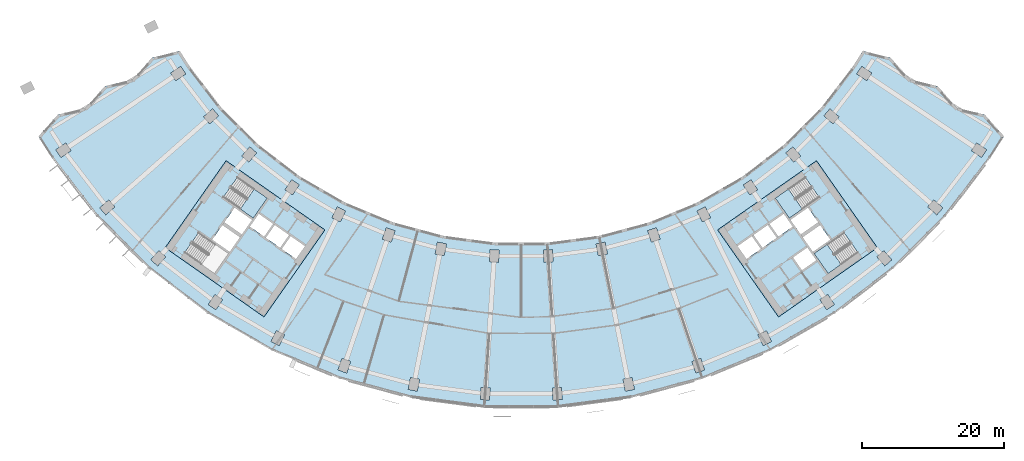
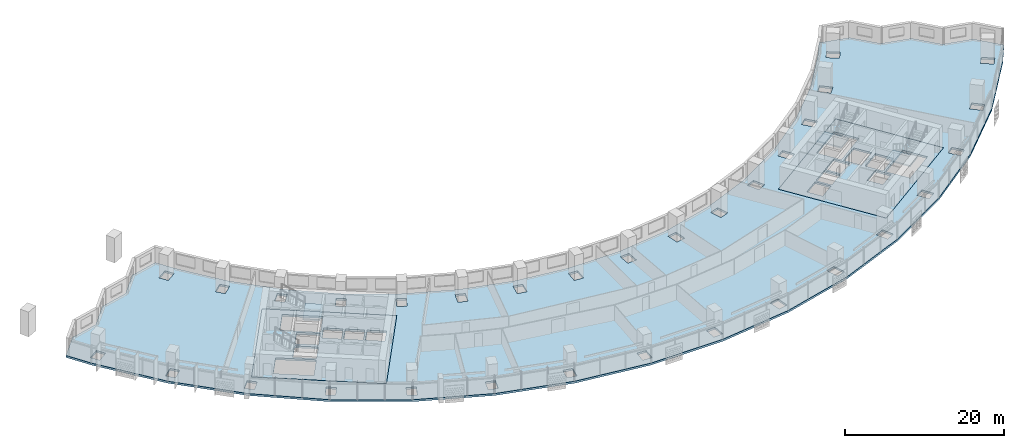
# One storey, part 2 of 31: 6 slabs, 3 elements without a shape of their own.
"""IFC4 building model written with IfcOpenShell, lengths in metres."""

import ifcopenshell
import ifcopenshell.guid

model = None  # the IFC model being written
_history = None  # IfcOwnerHistory: only IFC2X3 demands one
_inside = {}  # id of a spatial element -> (the spatial element, [elements in it])
_under = {}  # id of a project, library or spatial element -> (it, [spatial elements below it])
_declared = {}  # id of a project -> (the project, [libraries it declares])
_typed = {}  # id of a type object -> (the type object, [elements of that type])
_made_of = {}  # id of a material, layer set ... -> (it, [elements and type objects made of it])


def new_model(schema):
    """Start an empty IFC model of exactly this schema.

    Asked for "IFC4X3", IfcOpenShell would pick the latest addendum, in which some entities
    have other attributes; the version numbers below select the first issue.
    IFC2X3 requires an IfcOwnerHistory on every rooted entity: one is made here for all.
    """
    global model, _history
    if schema == "IFC4X3":
        model = ifcopenshell.file(schema_version=(4, 3, 0, 0))
    else:
        model = ifcopenshell.file(schema=schema)
    _inside.clear()
    _under.clear()
    _declared.clear()
    _typed.clear()
    _made_of.clear()
    _history = None
    if model.schema == "IFC2X3":
        org = make("IfcOrganization", Name="unknown")
        user = make(
            "IfcPersonAndOrganization",
            ThePerson=make("IfcPerson", FamilyName="unknown"),
            TheOrganization=org,
        )
        app = make(
            "IfcApplication",
            ApplicationDeveloper=org,
            Version="unknown",
            ApplicationFullName="unknown",
            ApplicationIdentifier="unknown",
        )
        _history = make(
            "IfcOwnerHistory",
            OwningUser=user,
            OwningApplication=app,
            ChangeAction="ADDED",
            CreationDate=0,
        )
    return model


def make(cls, **values):
    """One entity of the class cls with the attributes given. An attribute that is None is left unset."""
    return model.create_entity(
        cls, **{name: value for name, value in values.items() if value is not None}
    )


def rooted(cls, **values):
    """An entity with a GlobalId (a new one), such as an element, a storey or a relation."""
    return make(cls, GlobalId=ifcopenshell.guid.new(), OwnerHistory=_history, **values)


def si_unit(unit_type, name, prefix=None):
    """IfcSIUnit, for example si_unit("LENGTHUNIT", "METRE", prefix="MILLI")."""
    return make("IfcSIUnit", UnitType=unit_type, Prefix=prefix, Name=name)


def assignment(units):
    """IfcUnitAssignment: the units of a project."""
    return None if units is None else make("IfcUnitAssignment", Units=units)


def point(xyz):
    """IfcCartesianPoint."""
    return None if xyz is None else make("IfcCartesianPoint", Coordinates=xyz)


def direction(xyz):
    """IfcDirection."""
    return None if xyz is None else make("IfcDirection", DirectionRatios=xyz)


def frame(location, z_axis=None, x_axis=None):
    """IfcAxis2Placement3D, a coordinate frame: its origin and axes. An axis left out is left unset."""
    return make(
        "IfcAxis2Placement3D",
        Location=point(location),
        Axis=direction(z_axis),
        RefDirection=direction(x_axis),
    )


def origin():
    """The frame at (0, 0, 0) with its axes left unset."""
    return frame((0.0, 0.0, 0.0))


def place(relative_to, where):
    """IfcLocalPlacement: puts the frame where relative to a parent placement (None: the world)."""
    return make(
        "IfcLocalPlacement", PlacementRelTo=relative_to, RelativePlacement=where
    )


def context(
    kind, dimensions, precision=None, world=None, true_north=None, identifier=None
):
    """IfcGeometricRepresentationContext, for example the 3D "Model" context."""
    return make(
        "IfcGeometricRepresentationContext",
        ContextIdentifier=identifier,
        ContextType=kind,
        CoordinateSpaceDimension=dimensions,
        Precision=precision,
        WorldCoordinateSystem=world,
        TrueNorth=true_north,
    )


def subcontext(parent, identifier, kind, view, scale=None):
    """IfcGeometricRepresentationSubContext, for example "Body" below "Model"."""
    return make(
        "IfcGeometricRepresentationSubContext",
        ContextIdentifier=identifier,
        ContextType=kind,
        ParentContext=parent,
        TargetScale=scale,
        TargetView=view,
    )


def project(units=None, contexts=None):
    """IfcProject with its units and contexts."""
    return rooted(
        "IfcProject",
        Name="project",
        RepresentationContexts=contexts,
        UnitsInContext=assignment(units),
    )


def spatial(cls, under=None, at=None, **own):
    """A site, building, storey or space (cls), placed at a placement, below another one or the project."""
    s = rooted(cls, ObjectPlacement=at, **own)
    if under is not None:
        _under.setdefault(under.id(), (under, []))[1].append(s)
    return s


def polyline(points):
    """IfcPolyline through the points."""
    return make("IfcPolyline", Points=[point(p) for p in points])


def outline(outer, holes=None, kind="AREA"):
    """IfcArbitraryClosedProfileDef: a profile drawn as a closed curve; with holes, ...WithVoids."""
    if holes is None:
        return make("IfcArbitraryClosedProfileDef", ProfileType=kind, OuterCurve=outer)
    return make(
        "IfcArbitraryProfileDefWithVoids",
        ProfileType=kind,
        OuterCurve=outer,
        InnerCurves=holes,
    )


def extrude(swept, where, along, depth):
    """IfcExtrudedAreaSolid: the profile swept, set in the frame where, extruded along a direction by depth."""
    return make(
        "IfcExtrudedAreaSolid",
        SweptArea=swept,
        Position=where,
        ExtrudedDirection=direction(along),
        Depth=depth,
    )


def shape(context_of_items, identifier, shape_type, items):
    """IfcShapeRepresentation: the items that make up one representation, for example the "Body"."""
    return make(
        "IfcShapeRepresentation",
        ContextOfItems=context_of_items,
        RepresentationIdentifier=identifier,
        RepresentationType=shape_type,
        Items=items,
    )


def material(Name=None, Category=None):
    """IfcMaterial."""
    return make("IfcMaterial", Name=Name, Category=Category)


def layer(
    of_material, thickness, ventilated=None, Name=None, Category=None, Priority=None
):
    """IfcMaterialLayer: one layer of a wall or slab, of a material (None: an air gap)."""
    return make(
        "IfcMaterialLayer",
        Material=of_material,
        LayerThickness=thickness,
        IsVentilated=ventilated,
        Name=Name,
        Category=Category,
        Priority=Priority,
    )


def layer_set(layers, Name=None):
    """IfcMaterialLayerSet."""
    return make("IfcMaterialLayerSet", MaterialLayers=layers, LayerSetName=Name)


def made_of(thing, what):
    """Note that an element or type object is made of a material, layer set ...; save() writes the relation."""
    if what is not None:
        _made_of.setdefault(what.id(), (what, []))[1].append(thing)
    return thing


def type_object(cls, material=None, **own):
    """A type object (cls), such as IfcWallType, which elements share."""
    return made_of(rooted(cls, **own), material)


def element(
    cls,
    number,
    at=None,
    inside=None,
    cuts=None,
    type_object=None,
    material=None,
    context=None,
    identifier="Body",
    shape_type=None,
    held_by="IfcProductDefinitionShape",
    body=None,
    shapes=None,
    **own,
):
    """One element of the class cls, such as IfcWall. Its Tag is "e" and its number.

    at: its placement. inside: the storey or other place that contains it. cuts: it is an
    opening in that element (IfcRelVoidsElement). A single representation is given by context,
    identifier, shape_type and body (its items); several are given by shapes. held_by: the class
    of the entity that holds the representations. save() writes the other relations.
    """
    e = rooted(cls, Tag="e%d" % number, ObjectPlacement=at, **own)
    if body is not None:
        shapes = [shape(context, identifier, shape_type, body)]
    if shapes is not None:
        e.Representation = make(held_by, Representations=shapes)
    if inside is not None:
        _inside.setdefault(inside.id(), (inside, []))[1].append(e)
    if cuts is not None:
        rooted(
            "IfcRelVoidsElement", RelatingBuildingElement=cuts, RelatedOpeningElement=e
        )
    if type_object is not None:
        _typed.setdefault(type_object.id(), (type_object, []))[1].append(e)
    return made_of(e, material)


def aggregate(whole, parts):
    """IfcRelAggregates: a whole, such as a stair, and the parts it consists of."""
    return rooted("IfcRelAggregates", RelatingObject=whole, RelatedObjects=parts)


def save(model, path):
    """Write the relations noted so far, then the file.

    IfcRelAggregates (storeys below a building ...), IfcRelContainedInSpatialStructure (elements
    in a storey), IfcRelDefinesByType, IfcRelAssociatesMaterial and IfcRelDeclares: one each for
    every whole, place, type object, material and project.
    """
    for whole, parts in _under.values():
        aggregate(whole, parts)
    for where, things in _inside.values():
        rooted(
            "IfcRelContainedInSpatialStructure",
            RelatedElements=things,
            RelatingStructure=where,
        )
    for kind, things in _typed.values():
        rooted("IfcRelDefinesByType", RelatedObjects=things, RelatingType=kind)
    for what, things in _made_of.values():
        rooted("IfcRelAssociatesMaterial", RelatedObjects=things, RelatingMaterial=what)
    for by, libraries in _declared.values():
        rooted("IfcRelDeclares", RelatingContext=by, RelatedDefinitions=libraries)
    model.write(path)


model = new_model("IFC4")

# Units and contexts
model_context = context("Model", 3, precision=1e-05, world=origin(), true_north=direction((0.0, 1.0)))
body_context = subcontext(model_context, "Body", "Model", "MODEL_VIEW")
ifc_project = project(units=[si_unit("LENGTHUNIT", "METRE"), si_unit("AREAUNIT", "SQUARE_METRE"), si_unit("VOLUMEUNIT", "CUBIC_METRE"), si_unit("PLANEANGLEUNIT", "RADIAN"), si_unit("MASSUNIT", "GRAM", prefix="KILO")], contexts=[model_context])

# Site, building, storey
site_placement = place(None, origin())
site = spatial("IfcSite", under=ifc_project, at=site_placement, CompositionType="ELEMENT")
building_placement = place(site_placement, origin())
building = spatial("IfcBuilding", under=site, at=building_placement, Name="Qamariyya Broadcast Tower", CompositionType="ELEMENT")
storey_placement = place(building_placement, frame((0.0, 0.0, 82.300048828125)))
storey = spatial("IfcBuildingStorey", under=building, at=storey_placement, Name="L17", CompositionType="ELEMENT", Elevation=82.300048828125)

# Slabs
ifc_material_1 = material(Name="Concrete C40/50", Category="concrete")
ifc_layer_1 = layer(ifc_material_1, 0.300048828125)
ifc_layer_set_1 = layer_set([ifc_layer_1], Name="Core floor slab 300 mm Concrete C40/50")
slab_type_1 = type_object("IfcSlabType", Name="Core floor slab 300 mm Concrete C40/50", PredefinedType="FLOOR", material=ifc_layer_set_1)
slab_1_placement = place(storey_placement, frame((0.0, 0.0, -0.300048828125)))
element("IfcSlab", 1, at=slab_1_placement, inside=storey, type_object=slab_type_1, Name="k-W-L17-slab", PredefinedType="FLOOR", context=body_context, shape_type="SweptSolid", body=[
    extrude(outline(polyline([(-50.286376953125, -56.95751953125), (-36.32373046875, -66.734375), (-27.719970703125, -54.447021484375), (-41.6826171875, -44.67041015625), (-50.286376953125, -56.95751953125)]), holes=[polyline([(-31.80859375, -58.542724609375), (-33.8154296875, -57.137451171875), (-32.5537109375, -55.335205078125), (-30.546630859375, -56.740478515625), (-31.80859375, -58.542724609375)]), polyline([(-34.061279296875, -56.96533203125), (-36.068115234375, -55.56005859375), (-34.806396484375, -53.758056640625), (-32.79931640625, -55.163330078125), (-34.061279296875, -56.96533203125)]), polyline([(-36.31396484375, -55.387939453125), (-38.32080078125, -53.982666015625), (-37.058837890625, -52.1806640625), (-35.052001953125, -53.5859375), (-36.31396484375, -55.387939453125)]), polyline([(-39.742431640625, -55.489990234375), (-42.199951171875, -53.769287109375), (-43.6337890625, -55.817138671875), (-41.17626953125, -57.537841796875), (-39.742431640625, -55.489990234375)]), polyline([(-39.45556640625, -55.080322265625), (-41.9130859375, -53.359619140625), (-40.47900390625, -51.311767578125), (-38.021728515625, -53.032470703125), (-39.45556640625, -55.080322265625)]), polyline([(-42.06103515625, -49.837890625), (-37.849609375, -52.78662109375), (-35.870849609375, -49.960693359375), (-40.082275390625, -47.01171875), (-42.06103515625, -49.837890625)]), polyline([(-47.538818359375, -57.66064453125), (-43.3271484375, -60.609619140625), (-41.348388671875, -57.783447265625), (-45.559814453125, -54.834716796875), (-47.538818359375, -57.66064453125)])]), origin(), (0.0, 0.0, 1.0), 0.300048828125),
])
slab_2_placement = place(storey_placement, frame((0.0, 0.0, -0.300048828125)))
element("IfcSlab", 2, at=slab_2_placement, inside=storey, type_object=slab_type_1, Name="k-E-L17-slab", PredefinedType="FLOOR", context=body_context, shape_type="SweptSolid", body=[
    extrude(outline(polyline([(36.32373046875, -66.734375), (50.286376953125, -56.95751953125), (41.6826171875, -44.67041015625), (27.719970703125, -54.447021484375), (36.32373046875, -66.734375)]), holes=[polyline([(31.80859375, -58.542724609375), (33.8154296875, -57.137451171875), (32.5537109375, -55.335205078125), (30.546630859375, -56.740478515625), (31.80859375, -58.542724609375)]), polyline([(34.061279296875, -56.96533203125), (36.068115234375, -55.56005859375), (34.806396484375, -53.758056640625), (32.79931640625, -55.163330078125), (34.061279296875, -56.96533203125)]), polyline([(36.31396484375, -55.387939453125), (38.32080078125, -53.982666015625), (37.058837890625, -52.1806640625), (35.052001953125, -53.5859375), (36.31396484375, -55.387939453125)]), polyline([(38.378662109375, -58.3369140625), (40.3857421875, -56.931640625), (41.6474609375, -58.73388671875), (39.640625, -60.13916015625), (38.378662109375, -58.3369140625)]), polyline([(39.742431640625, -55.489990234375), (42.199951171875, -53.769287109375), (43.6337890625, -55.817138671875), (41.17626953125, -57.537841796875), (39.742431640625, -55.489990234375)]), polyline([(39.45556640625, -55.080322265625), (41.9130859375, -53.359619140625), (40.47900390625, -51.311767578125), (38.021728515625, -53.032470703125), (39.45556640625, -55.080322265625)]), polyline([(40.082275390625, -47.01171875), (35.870849609375, -49.960693359375), (37.849609375, -52.78662109375), (42.06103515625, -49.837890625), (40.082275390625, -47.01171875)]), polyline([(45.559814453125, -54.834716796875), (41.348388671875, -57.783447265625), (43.3271484375, -60.609619140625), (47.538818359375, -57.66064453125), (45.559814453125, -54.834716796875)])]), origin(), (0.0, 0.0, 1.0), 0.300048828125),
])
ifc_layer_2 = layer(ifc_material_1, 0.300048828125)
ifc_layer_set_2 = layer_set([ifc_layer_2], Name="Post-tensioned floor slab 300 C40/50")
slab_type_2 = type_object("IfcSlabType", Name="Post-tensioned floor slab 300 C40/50", PredefinedType="FLOOR", material=ifc_layer_set_2)
slab_3_placement = place(storey_placement, frame((0.0, 0.0, -0.300048828125)))
element("IfcSlab", 3, at=slab_3_placement, inside=storey, type_object=slab_type_2, Name="Floor slab S4 L17", PredefinedType="FLOOR", context=body_context, shape_type="SweptSolid", body=[
    extrude(outline(polyline([(-65.448486328125, -38.171875), (-68.15869140625, -41.212890625), (-66.2265625, -44.251220703125), (-59.884033203125, -52.516845703125), (-52.516845703125, -59.884033203125), (-44.251220703125, -66.2265625), (-35.228271484375, -71.43603515625), (-25.6025390625, -75.423095703125), (-15.5390625, -78.11962890625), (-5.20947265625, -79.4794921875), (5.20947265625, -79.4794921875), (15.5390625, -78.11962890625), (25.6025390625, -75.423095703125), (35.228271484375, -71.43603515625), (44.251220703125, -66.2265625), (52.516845703125, -59.884033203125), (59.884033203125, -52.516845703125), (66.2265625, -44.251220703125), (68.15869140625, -41.212890625), (65.448486328125, -38.171875), (61.5126953125, -37.1943359375), (58.80126953125, -34.152587890625), (54.866455078125, -33.175537109375), (52.154052734375, -30.13330078125), (48.22021484375, -29.156982421875), (46.853271484375, -31.306396484375), (42.3662109375, -37.154052734375), (37.154052734375, -42.3662109375), (31.306396484375, -46.853271484375), (24.9228515625, -50.538818359375), (18.113037109375, -53.359619140625), (10.993408203125, -55.267333984375), (3.685546875, -56.229248046875), (-3.685546875, -56.229248046875), (-10.993408203125, -55.267333984375), (-18.113037109375, -53.359619140625), (-24.9228515625, -50.538818359375), (-31.306396484375, -46.853271484375), (-37.154052734375, -42.3662109375), (-42.3662109375, -37.154052734375), (-46.853271484375, -31.306396484375), (-48.22021484375, -29.156982421875), (-52.154052734375, -30.13330078125), (-54.866455078125, -33.175537109375), (-58.80126953125, -34.152587890625), (-61.5126953125, -37.1943359375), (-65.448486328125, -38.171875)]), holes=[polyline([(-5.789306640625, -78.38916015625), (-5.67822265625, -76.69287109375), (-4.380859375, -76.77783203125), (-4.4921875, -78.47412109375), (-5.789306640625, -78.38916015625)]), polyline([(-15.9716796875, -76.962890625), (-15.639892578125, -75.295654296875), (-14.364990234375, -75.54931640625), (-14.696533203125, -77.216552734375), (-15.9716796875, -76.962890625)]), polyline([(-25.880615234375, -74.2197265625), (-25.334228515625, -72.610107421875), (-24.103271484375, -73.02783203125), (-24.649658203125, -74.6376953125), (-25.880615234375, -74.2197265625)]), polyline([(-35.346923828125, -70.206787109375), (-34.594970703125, -68.68212890625), (-33.428955078125, -69.257080078125), (-34.180908203125, -70.78173828125), (-35.346923828125, -70.206787109375)]), polyline([(-44.208251953125, -64.992431640625), (-43.263916015625, -63.578857421875), (-42.182861328125, -64.301025390625), (-43.12744140625, -65.714599609375), (-44.208251953125, -64.992431640625)]), polyline([(-52.313232421875, -58.666015625), (-51.1923828125, -57.387939453125), (-50.215087890625, -58.2451171875), (-51.3359375, -59.523193359375), (-52.313232421875, -58.666015625)]), polyline([(-12.167236328125, -57.837646484375), (-11.835693359375, -56.170166015625), (-10.560791015625, -56.423828125), (-10.892333984375, -58.09130859375), (-12.167236328125, -57.837646484375)]), polyline([(-41.6826171875, -44.67041015625), (-27.719970703125, -54.447021484375), (-36.32373046875, -66.734375), (-50.286376953125, -56.95751953125), (-41.6826171875, -44.67041015625)]), polyline([(-19.066162109375, -54.144775390625), (-17.835205078125, -54.562744140625), (-18.381591796875, -56.172607421875), (-19.612548828125, -55.754638671875), (-19.066162109375, -54.144775390625)]), polyline([(-26.72216796875, -52.7177734375), (-25.970458984375, -51.193115234375), (-24.804443359375, -51.76806640625), (-25.556396484375, -53.292724609375), (-26.72216796875, -52.7177734375)]), polyline([(-59.523193359375, -51.3359375), (-58.2451171875, -50.215087890625), (-57.387939453125, -51.1923828125), (-58.666015625, -52.313232421875), (-59.523193359375, -51.3359375)]), polyline([(-33.374755859375, -48.77880859375), (-32.43017578125, -47.365234375), (-31.349365234375, -48.08740234375), (-32.293701171875, -49.5009765625), (-33.374755859375, -48.77880859375)]), polyline([(-39.4560546875, -44.005126953125), (-38.335205078125, -42.72705078125), (-37.357666015625, -43.584228515625), (-38.478759765625, -44.8623046875), (-39.4560546875, -44.005126953125)]), polyline([(-65.714599609375, -43.12744140625), (-64.301025390625, -42.182861328125), (-63.578857421875, -43.263916015625), (-64.992431640625, -44.208251953125), (-65.714599609375, -43.12744140625)]), polyline([(-44.8623046875, -38.478759765625), (-43.584228515625, -37.357666015625), (-42.72705078125, -38.335205078125), (-44.005126953125, -39.4560546875), (-44.8623046875, -38.478759765625)]), polyline([(-48.08740234375, -31.349365234375), (-47.365234375, -32.43017578125), (-48.77880859375, -33.374755859375), (-49.5009765625, -32.293701171875), (-48.08740234375, -31.349365234375)]), polyline([(4.4921875, -78.47412109375), (4.380859375, -76.77783203125), (5.67822265625, -76.69287109375), (5.789306640625, -78.38916015625), (4.4921875, -78.47412109375)]), polyline([(14.696533203125, -77.216552734375), (14.364990234375, -75.54931640625), (15.639892578125, -75.295654296875), (15.9716796875, -76.962890625), (14.696533203125, -77.216552734375)]), polyline([(24.649658203125, -74.6376953125), (24.103271484375, -73.02783203125), (25.334228515625, -72.610107421875), (25.880615234375, -74.2197265625), (24.649658203125, -74.6376953125)]), polyline([(34.180908203125, -70.78173828125), (33.428955078125, -69.257080078125), (34.594970703125, -68.68212890625), (35.346923828125, -70.206787109375), (34.180908203125, -70.78173828125)]), polyline([(43.12744140625, -65.714599609375), (42.182861328125, -64.301025390625), (43.263916015625, -63.578857421875), (44.208251953125, -64.992431640625), (43.12744140625, -65.714599609375)]), polyline([(51.3359375, -59.523193359375), (50.215087890625, -58.2451171875), (51.1923828125, -57.387939453125), (52.313232421875, -58.666015625), (51.3359375, -59.523193359375)]), polyline([(3.216796875, -59.015869140625), (3.10546875, -57.319580078125), (4.40283203125, -57.234619140625), (4.513916015625, -58.930908203125), (3.216796875, -59.015869140625)]), polyline([(-4.40283203125, -57.234619140625), (-3.10546875, -57.319580078125), (-3.216796875, -59.015869140625), (-4.513916015625, -58.930908203125), (-4.40283203125, -57.234619140625)]), polyline([(10.560791015625, -56.423828125), (11.835693359375, -56.170166015625), (12.167236328125, -57.837646484375), (10.892333984375, -58.09130859375), (10.560791015625, -56.423828125)]), polyline([(36.32373046875, -66.734375), (27.719970703125, -54.447021484375), (41.6826171875, -44.67041015625), (50.286376953125, -56.95751953125), (36.32373046875, -66.734375)]), polyline([(18.381591796875, -56.172607421875), (17.835205078125, -54.562744140625), (19.066162109375, -54.144775390625), (19.612548828125, -55.754638671875), (18.381591796875, -56.172607421875)]), polyline([(25.556396484375, -53.292724609375), (24.804443359375, -51.76806640625), (25.970458984375, -51.193115234375), (26.72216796875, -52.7177734375), (25.556396484375, -53.292724609375)]), polyline([(58.666015625, -52.313232421875), (57.387939453125, -51.1923828125), (58.2451171875, -50.215087890625), (59.523193359375, -51.3359375), (58.666015625, -52.313232421875)]), polyline([(32.293701171875, -49.5009765625), (31.349365234375, -48.08740234375), (32.43017578125, -47.365234375), (33.374755859375, -48.77880859375), (32.293701171875, -49.5009765625)]), polyline([(38.478759765625, -44.8623046875), (37.357666015625, -43.584228515625), (38.335205078125, -42.72705078125), (39.4560546875, -44.005126953125), (38.478759765625, -44.8623046875)]), polyline([(64.992431640625, -44.208251953125), (63.578857421875, -43.263916015625), (64.301025390625, -42.182861328125), (65.714599609375, -43.12744140625), (64.992431640625, -44.208251953125)]), polyline([(42.72705078125, -38.335205078125), (43.584228515625, -37.357666015625), (44.8623046875, -38.478759765625), (44.005126953125, -39.4560546875), (42.72705078125, -38.335205078125)]), polyline([(47.365234375, -32.43017578125), (48.08740234375, -31.349365234375), (49.5009765625, -32.293701171875), (48.77880859375, -33.374755859375), (47.365234375, -32.43017578125)])]), origin(), (0.0, 0.0, 1.0), 0.300048828125),
])

# Stair, slab
ifc_material_2 = material(Name="Concrete C50/60", Category="concrete")
stair_type = type_object("IfcStairType", Name="Exit stair 22 risers of 173 mm", PredefinedType="HALF_TURN_STAIR", material=ifc_material_2)
stair_1_placement = place(storey_placement, origin())
stair_1 = element("IfcStair", 4, at=stair_1_placement, inside=storey, type_object=stair_type, Name="L17 Stair W2", PredefinedType="HALF_TURN_STAIR")
ifc_layer_3 = layer(ifc_material_2, 0.199951171875)
ifc_layer_set_3 = layer_set([ifc_layer_3], Name="Stair landing")
slab_type_3 = type_object("IfcSlabType", Name="Stair landing", PredefinedType="LANDING", material=ifc_layer_set_3)
slab_4_placement = place(storey_placement, frame((0.0, 0.0, 1.699951171875)))
slab_4 = element("IfcSlab", 5, at=slab_4_placement, type_object=slab_type_3, Name="ST-W2 landing 1", PredefinedType="LANDING", context=body_context, shape_type="SweptSolid", body=[
    extrude(outline(polyline([(-39.692138671875, -51.49658203125), (-37.849609375, -52.78662109375), (-35.870849609375, -49.960693359375), (-37.71337890625, -48.67041015625), (-39.692138671875, -51.49658203125)])), origin(), (0.0, 0.0, 1.0), 0.199951171875),
])
aggregate(stair_1, [slab_4])

stair_2_placement = place(storey_placement, origin())
stair_2 = element("IfcStair", 6, at=stair_2_placement, inside=storey, type_object=stair_type, Name="L17 Stair E2", PredefinedType="HALF_TURN_STAIR")
slab_5_placement = place(storey_placement, frame((0.0, 0.0, 1.699951171875)))
slab_5 = element("IfcSlab", 7, at=slab_5_placement, type_object=slab_type_3, Name="ST-E2 landing 1", PredefinedType="LANDING", context=body_context, shape_type="SweptSolid", body=[
    extrude(outline(polyline([(37.71337890625, -48.67041015625), (35.870849609375, -49.960693359375), (37.849609375, -52.78662109375), (39.692138671875, -51.49658203125), (37.71337890625, -48.67041015625)])), origin(), (0.0, 0.0, 1.0), 0.199951171875),
])
aggregate(stair_2, [slab_5])

stair_3_placement = place(storey_placement, origin())
stair_3 = element("IfcStair", 8, at=stair_3_placement, inside=storey, type_object=stair_type, Name="L17 Stair E1", PredefinedType="HALF_TURN_STAIR")
slab_6_placement = place(storey_placement, frame((0.0, 0.0, 1.699951171875)))
slab_6 = element("IfcSlab", 9, at=slab_6_placement, type_object=slab_type_3, Name="ST-E1 landing 1", PredefinedType="LANDING", context=body_context, shape_type="SweptSolid", body=[
    extrude(outline(polyline([(43.19091796875, -56.493408203125), (41.348388671875, -57.783447265625), (43.3271484375, -60.609619140625), (45.169677734375, -59.319580078125), (43.19091796875, -56.493408203125)])), origin(), (0.0, 0.0, 1.0), 0.199951171875),
])
aggregate(stair_3, [slab_6])

save(model, "model.ifc")
